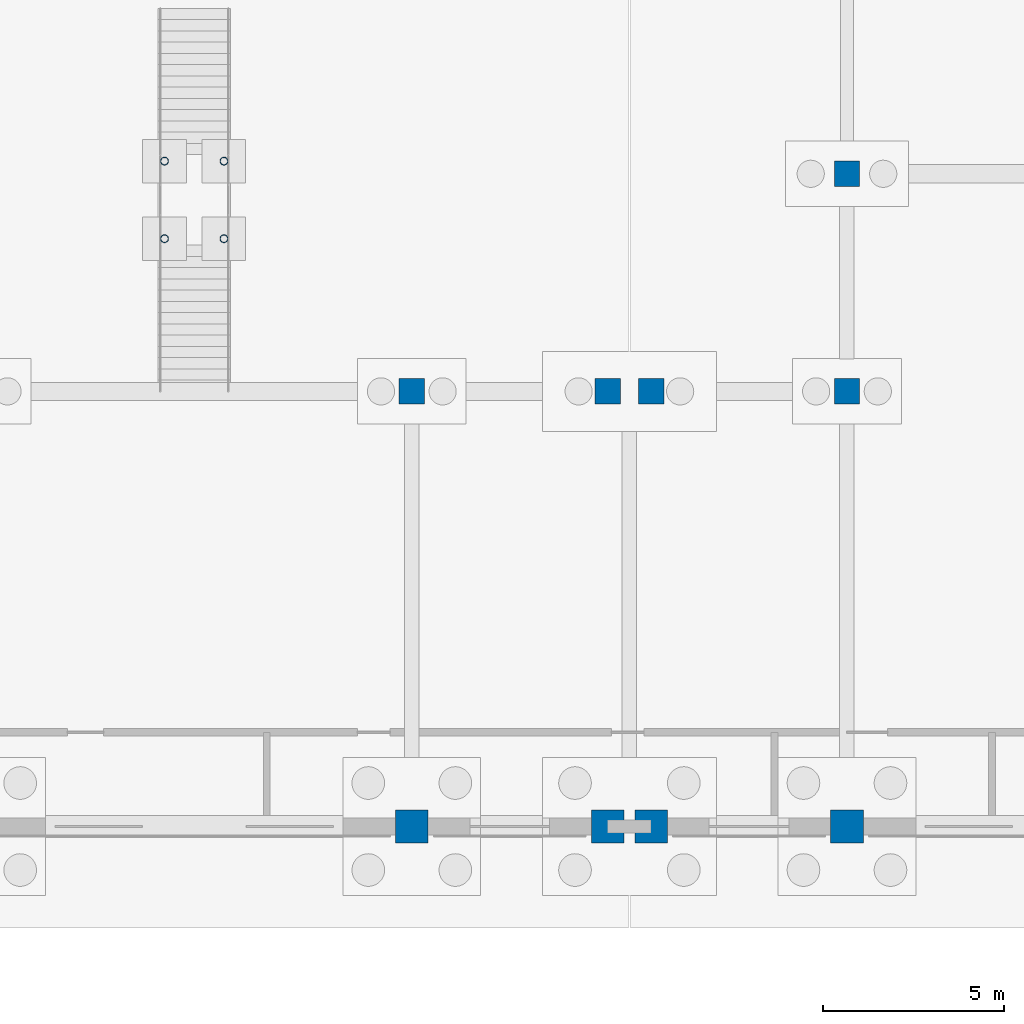
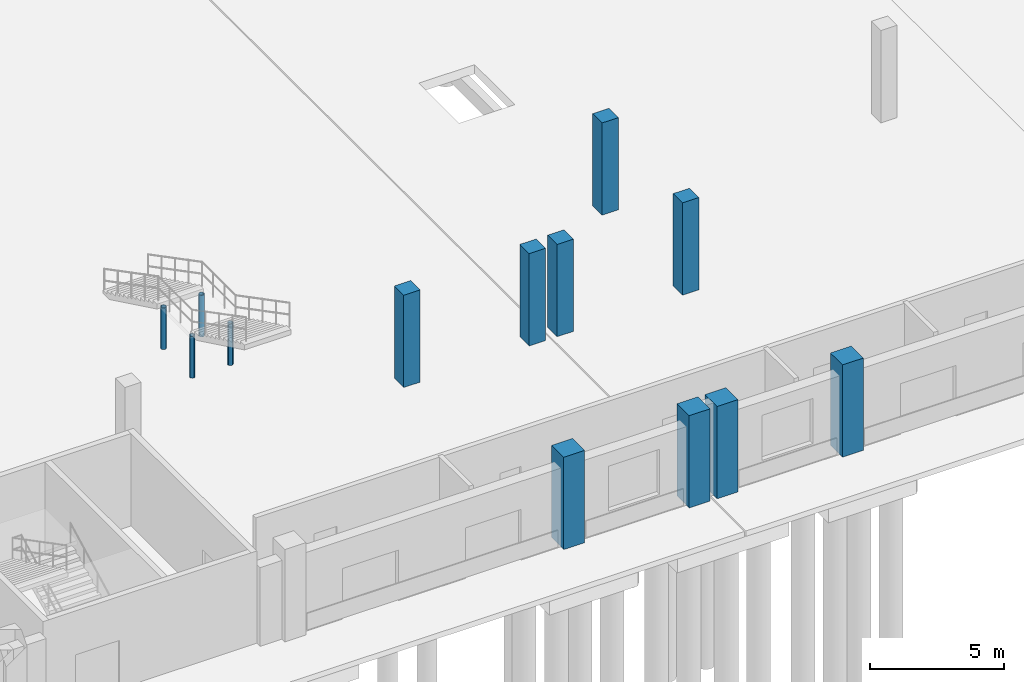
# One storey, part 27 of 77: 13 columns.
"""IFC4 building model written with IfcOpenShell, lengths in metres."""

from ifc_helpers import new_model, si_unit, direction, frame, origin, origin_2d, place, context, subcontext, project, spatial, rectangle, hollow_circle, extrude, material, material_profile, profile_set, type_object, element, save


model = new_model("IFC4")

# Units and contexts
model_context = context("Model", 3, precision=1e-05, world=origin(), true_north=direction((0.0, 1.0)))
body_context = subcontext(model_context, "Body", "Model", "MODEL_VIEW")
ifc_project = project(units=[si_unit("LENGTHUNIT", "METRE"), si_unit("AREAUNIT", "SQUARE_METRE"), si_unit("VOLUMEUNIT", "CUBIC_METRE"), si_unit("PLANEANGLEUNIT", "RADIAN"), si_unit("MASSUNIT", "GRAM", prefix="KILO")], contexts=[model_context])

# Site, building, storey
site_placement = place(None, origin())
site = spatial("IfcSite", under=ifc_project, at=site_placement, CompositionType="ELEMENT")
building_placement = place(site_placement, origin())
building = spatial("IfcBuilding", under=site, at=building_placement, Name="Zilviju Railside Exhibition Hall", CompositionType="ELEMENT")
storey_placement = place(building_placement, origin())
storey = spatial("IfcBuildingStorey", under=building, at=storey_placement, Name="L01", CompositionType="ELEMENT", Elevation=0.0)

# Columns
ifc_material_1 = material(Name="Concrete C35/45", Category="concrete")
ifc_material_profile_1 = material_profile(ifc_material_1, rectangle(XDim=0.699951171875, YDim=0.699951171875, at=origin_2d()), Name="RC COL 700x700")
ifc_profile_set_1 = profile_set([ifc_material_profile_1], Name="Concrete C35/45")
column_type_1 = type_object("IfcColumnType", Name="COL-RC-700", PredefinedType="COLUMN", material=ifc_profile_set_1)
for number, where, z_axis, x_axis, name in (
    (1, (168.0, 12.0, 0.0), (0.0, 0.0, 1.0), (1.0, 0.0, 0.0), "Structural Column L01 (168.0, 12.0)"),
    (2, (173.39990234375, 12.0, 0.0), (0.0, 0.0, 1.0), (1.0, 0.0, 0.0), "Structural Column L01 (173.4, 12.0)"),
    (3, (174.60009765625, 12.0, 0.0), (0.0, 0.0, 1.0), (1.0, 0.0, 0.0), "Structural Column L01 (174.6, 12.0)"),
    (4, (180.0, 12.0, 0.0), (0.0, 0.0, 1.0), (1.0, 0.0, 0.0), "Structural Column L01 (180.0, 12.0)"),
    (5, (180.0, 18.0, 0.0), (0.0, 0.0, 1.0), (1.0, 0.0, 0.0), "Structural Column L01 (180.0, 18.0)"),
):
    element("IfcColumn", number, at=place(storey_placement, frame(where, z_axis=z_axis, x_axis=x_axis)), inside=storey, type_object=column_type_1, Name=name, PredefinedType="COLUMN", context=body_context, shape_type="SweptSolid", body=[
        extrude(rectangle(XDim=0.699951171875, YDim=0.699951171875, at=origin_2d()), origin(), (0.0, 0.0, 1.0), 4.199951171875),
    ])
ifc_material_2 = material(Name="Concrete C40/50", Category="concrete")
ifc_material_profile_2 = material_profile(ifc_material_2, rectangle(XDim=0.89990234375, YDim=0.89990234375, at=origin_2d()), Name="RC COL 900x900")
ifc_profile_set_2 = profile_set([ifc_material_profile_2], Name="Concrete C40/50")
column_type_2 = type_object("IfcColumnType", Name="COL-RC-900", PredefinedType="COLUMN", material=ifc_profile_set_2)
for number, where, z_axis, x_axis, name in (
    (6, (168.0, 0.0, 0.0), (0.0, 0.0, 1.0), (1.0, 0.0, 0.0), "Structural Column L01 (168.0, 0.0)"),
    (7, (173.39990234375, 0.0, 0.0), (0.0, 0.0, 1.0), (1.0, 0.0, 0.0), "Structural Column L01 (173.4, 0.0)"),
    (8, (174.60009765625, 0.0, 0.0), (0.0, 0.0, 1.0), (1.0, 0.0, 0.0), "Structural Column L01 (174.6, 0.0)"),
    (9, (180.0, 0.0, 0.0), (0.0, 0.0, 1.0), (1.0, 0.0, 0.0), "Structural Column L01 (180.0, 0.0)"),
):
    element("IfcColumn", number, at=place(storey_placement, frame(where, z_axis=z_axis, x_axis=x_axis)), inside=storey, type_object=column_type_2, Name=name, PredefinedType="COLUMN", context=body_context, shape_type="SweptSolid", body=[
        extrude(rectangle(XDim=0.89990234375, YDim=0.89990234375, at=origin_2d()), origin(), (0.0, 0.0, 1.0), 4.199951171875),
    ])
ifc_material_3 = material(Name="Steel S355ML", Category="steel")
ifc_material_profile_3 = material_profile(ifc_material_3, hollow_circle(Radius=0.109619140625, WallThickness=0.010009765625, at=origin_2d()), Name="CHS 219.1x10.0")
ifc_profile_set_3 = profile_set([ifc_material_profile_3], Name="Steel S355ML")
column_type_3 = type_object("IfcColumnType", Name="COL-ST-CHS219", PredefinedType="COLUMN", material=ifc_profile_set_3)
for number, where, z_axis, x_axis, name in (
    (10, (161.179931640625, 16.2099609375, 0.0), (0.0, 0.0, 1.0), (1.0, 0.0, 0.0), "Feature Stair ST21 Landing Column 1"),
    (11, (162.820068359375, 16.2099609375, 0.0), (0.0, 0.0, 1.0), (1.0, 0.0, 0.0), "Feature Stair ST21 Landing Column 2"),
    (12, (161.179931640625, 18.35009765625, 0.0), (0.0, 0.0, 1.0), (1.0, 0.0, 0.0), "Feature Stair ST21 Landing Column 3"),
    (13, (162.820068359375, 18.35009765625, 0.0), (0.0, 0.0, 1.0), (1.0, 0.0, 0.0), "Feature Stair ST21 Landing Column 4"),
):
    element("IfcColumn", number, at=place(storey_placement, frame(where, z_axis=z_axis, x_axis=x_axis)), inside=storey, type_object=column_type_3, Name=name, PredefinedType="COLUMN", context=body_context, shape_type="SweptSolid", body=[
        extrude(hollow_circle(Radius=0.109619140625, WallThickness=0.010009765625, at=origin_2d()), origin(), (0.0, 0.0, 1.0), 1.89990234375),
    ])

save(model, "model.ifc")
